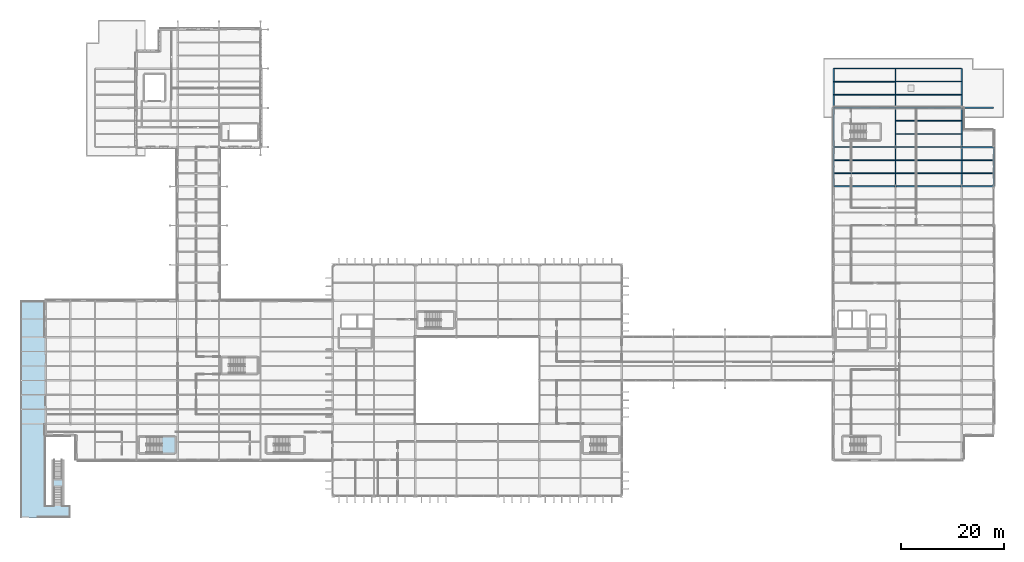
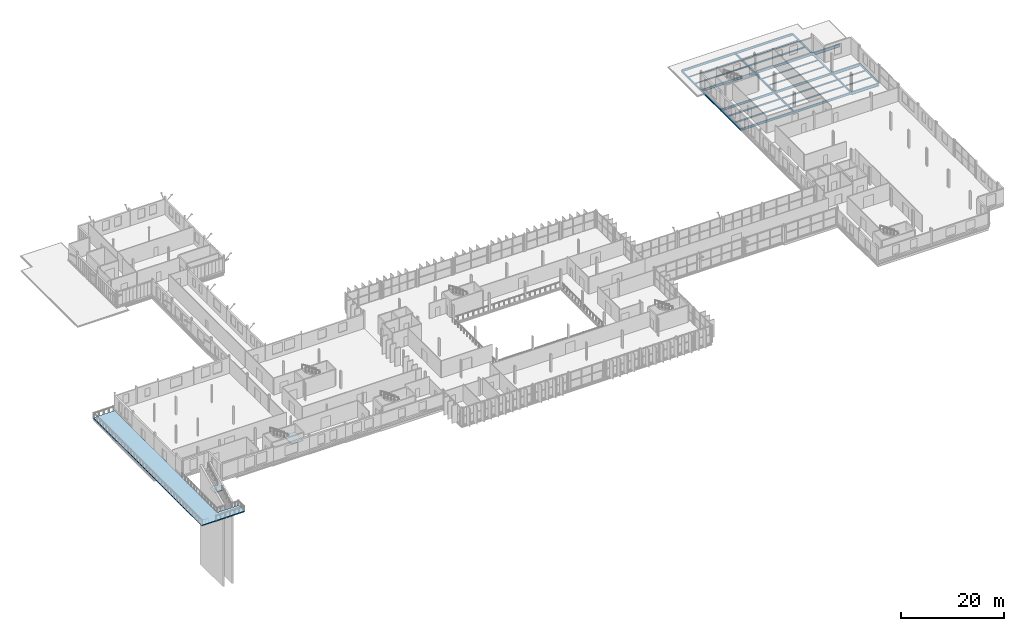
# One storey, part 67 of 101: 33 beams, 3 slabs, 2 elements without a shape of their own.
"""IFC4 building model written with IfcOpenShell, lengths in metres."""

from ifc_helpers import new_model, si_unit, direction, frame, origin, origin_2d, place, context, subcontext, project, spatial, polyline, i_section, outline, extrude, material, layer, layer_set, material_profile, profile_set, type_object, element, aggregate, save


model = new_model("IFC4")

# Units and contexts
model_context = context("Model", 3, precision=1e-05, world=origin(), true_north=direction((0.0, 1.0)))
body_context = subcontext(model_context, "Body", "Model", "MODEL_VIEW")
ifc_project = project(units=[si_unit("LENGTHUNIT", "METRE"), si_unit("AREAUNIT", "SQUARE_METRE"), si_unit("VOLUMEUNIT", "CUBIC_METRE"), si_unit("PLANEANGLEUNIT", "RADIAN"), si_unit("MASSUNIT", "GRAM", prefix="KILO")], contexts=[model_context])

# Site, building, storey
site_placement = place(None, origin())
site = spatial("IfcSite", under=ifc_project, at=site_placement, CompositionType="ELEMENT")
building_placement = place(site_placement, origin())
building = spatial("IfcBuilding", under=site, at=building_placement, Name="Vekula Escarpment Museum", CompositionType="ELEMENT")
storey_placement = place(building_placement, frame((0.0, 0.0, 18.0)))
storey = spatial("IfcBuildingStorey", under=building, at=storey_placement, Name="L04", CompositionType="ELEMENT", Elevation=18.0)

# Beams
ifc_material_1 = material(Name="Steel S355", Category="steel")
ifc_material_profile_1 = material_profile(ifc_material_1, i_section(OverallWidth=0.300048828125, OverallDepth=0.699951171875, WebThickness=0.01708984375, FlangeThickness=0.031982421875, FilletRadius=0.027099609375, at=origin_2d()), Name="HEB 700")
ifc_profile_set_1 = profile_set([ifc_material_profile_1], Name="Steel S355")
beam_type_1 = type_object("IfcBeamType", Name="BM-GIRD-HEB700", PredefinedType="BEAM", material=ifc_profile_set_1)
for number, where, z_axis, x_axis, name in (
    (1, (191.800048828125, 105.60009765625, -0.6298828125), (1.0, 0.0, 0.0), (0.0, 1.0, 0.0), "Beam X L04 1799"),
    (2, (191.800048828125, 113.199951171875, -0.6298828125), (1.0, 0.0, 0.0), (0.0, 1.0, 0.0), "Beam X L04 1806"),
    (3, (191.800048828125, 120.800048828125, -0.6298828125), (1.0, 0.0, 0.0), (0.0, 1.0, 0.0), "Beam X L04 1813"),
):
    element("IfcBeam", number, at=place(storey_placement, frame(where, z_axis=z_axis, x_axis=x_axis)), inside=storey, type_object=beam_type_1, Name=name, PredefinedType="BEAM", context=body_context, shape_type="SweptSolid", body=[
        extrude(i_section(OverallWidth=0.300048828125, OverallDepth=0.699951171875, WebThickness=0.01708984375, FlangeThickness=0.031982421875, FilletRadius=0.027099609375, at=origin_2d()), origin(), (0.0, 0.0, 1.0), 6.199951171875),
    ])
ifc_material_2 = material(Name="Steel S355", Category="steel")
ifc_material_profile_2 = material_profile(ifc_material_2, i_section(OverallWidth=0.199951171875, OverallDepth=0.5, WebThickness=0.01025390625, FlangeThickness=0.01611328125, FilletRadius=0.02099609375, at=origin_2d()), Name="IPE 500")
ifc_profile_set_2 = profile_set([ifc_material_profile_2], Name="Steel S355")
beam_type_2 = type_object("IfcBeamType", Name="BM-GIRD-IPE500", PredefinedType="BEAM", material=ifc_profile_set_2)
beam_1_placement = place(storey_placement, frame((179.0, 105.60009765625, -0.530029296875), z_axis=(0.0, 1.0, 0.0), x_axis=(-1.0, 0.0, 0.0)))
element("IfcBeam", 4, at=beam_1_placement, inside=storey, type_object=beam_type_2, Name="Beam Y L04 1937", PredefinedType="BEAM", context=body_context, shape_type="SweptSolid", body=[
    extrude(i_section(OverallWidth=0.199951171875, OverallDepth=0.5, WebThickness=0.01025390625, FlangeThickness=0.01611328125, FilletRadius=0.02099609375, at=origin_2d()), origin(), (0.0, 0.0, 1.0), 7.599853515625),
])
beam_2_placement = place(storey_placement, frame((179.0, 113.199951171875, -0.530029296875), z_axis=(0.0, 1.0, 0.0), x_axis=(-1.0, 0.0, 0.0)))
element("IfcBeam", 5, at=beam_2_placement, inside=storey, type_object=beam_type_2, Name="Beam Y L04 1938", PredefinedType="BEAM", context=body_context, shape_type="SweptSolid", body=[
    extrude(i_section(OverallWidth=0.199951171875, OverallDepth=0.5, WebThickness=0.01025390625, FlangeThickness=0.01611328125, FilletRadius=0.02099609375, at=origin_2d()), origin(), (0.0, 0.0, 1.0), 7.60009765625),
])
beam_3_placement = place(storey_placement, frame((179.0, 120.800048828125, -0.530029296875), z_axis=(0.0, 1.0, 0.0), x_axis=(-1.0, 0.0, 0.0)))
element("IfcBeam", 6, at=beam_3_placement, inside=storey, type_object=beam_type_2, Name="Beam Y L04 1939", PredefinedType="BEAM", context=body_context, shape_type="SweptSolid", body=[
    extrude(i_section(OverallWidth=0.199951171875, OverallDepth=0.5, WebThickness=0.01025390625, FlangeThickness=0.01611328125, FilletRadius=0.02099609375, at=origin_2d()), origin(), (0.0, 0.0, 1.0), 7.599853515625),
])
ifc_material_3 = material(Name="Steel S355", Category="steel")
ifc_material_profile_3 = material_profile(ifc_material_3, i_section(OverallWidth=0.2099609375, OverallDepth=0.550048828125, WebThickness=0.010986328125, FlangeThickness=0.01708984375, FilletRadius=0.02392578125, at=origin_2d()), Name="IPE 550")
ifc_profile_set_3 = profile_set([ifc_material_profile_3], Name="Steel S355")
beam_type_3 = type_object("IfcBeamType", Name="BM-GIRD-IPE550", PredefinedType="BEAM", material=ifc_profile_set_3)
beam_4_placement = place(storey_placement, frame((167.0, 105.60009765625, -0.554931640625), z_axis=(1.0, 0.0, 0.0), x_axis=(0.0, 1.0, 0.0)))
element("IfcBeam", 7, at=beam_4_placement, inside=storey, type_object=beam_type_3, Name="Beam X L04 1797", PredefinedType="BEAM", context=body_context, shape_type="SweptSolid", body=[
    extrude(i_section(OverallWidth=0.2099609375, OverallDepth=0.550048828125, WebThickness=0.010986328125, FlangeThickness=0.01708984375, FilletRadius=0.02392578125, at=origin_2d()), origin(), (0.0, 0.0, 1.0), 12.0),
])
beam_5_placement = place(storey_placement, frame((179.0, 105.60009765625, -0.554931640625), z_axis=(1.0, 0.0, 0.0), x_axis=(0.0, 1.0, 0.0)))
element("IfcBeam", 8, at=beam_5_placement, inside=storey, type_object=beam_type_3, Name="Beam X L04 1798", PredefinedType="BEAM", context=body_context, shape_type="SweptSolid", body=[
    extrude(i_section(OverallWidth=0.2099609375, OverallDepth=0.550048828125, WebThickness=0.010986328125, FlangeThickness=0.01708984375, FilletRadius=0.02392578125, at=origin_2d()), origin(), (0.0, 0.0, 1.0), 12.800048828125),
])
beam_6_placement = place(storey_placement, frame((167.0, 113.199951171875, -0.554931640625), z_axis=(1.0, 0.0, 0.0), x_axis=(0.0, 1.0, 0.0)))
element("IfcBeam", 9, at=beam_6_placement, inside=storey, type_object=beam_type_3, Name="Beam X L04 1804", PredefinedType="BEAM", context=body_context, shape_type="SweptSolid", body=[
    extrude(i_section(OverallWidth=0.2099609375, OverallDepth=0.550048828125, WebThickness=0.010986328125, FlangeThickness=0.01708984375, FilletRadius=0.02392578125, at=origin_2d()), origin(), (0.0, 0.0, 1.0), 12.0),
])
beam_7_placement = place(storey_placement, frame((179.0, 113.199951171875, -0.554931640625), z_axis=(1.0, 0.0, 0.0), x_axis=(0.0, 1.0, 0.0)))
element("IfcBeam", 10, at=beam_7_placement, inside=storey, type_object=beam_type_3, Name="Beam X L04 1805", PredefinedType="BEAM", context=body_context, shape_type="SweptSolid", body=[
    extrude(i_section(OverallWidth=0.2099609375, OverallDepth=0.550048828125, WebThickness=0.010986328125, FlangeThickness=0.01708984375, FilletRadius=0.02392578125, at=origin_2d()), origin(), (0.0, 0.0, 1.0), 12.800048828125),
])
beam_8_placement = place(storey_placement, frame((167.0, 120.800048828125, -0.554931640625), z_axis=(1.0, 0.0, 0.0), x_axis=(0.0, 1.0, 0.0)))
element("IfcBeam", 11, at=beam_8_placement, inside=storey, type_object=beam_type_3, Name="Beam X L04 1811", PredefinedType="BEAM", context=body_context, shape_type="SweptSolid", body=[
    extrude(i_section(OverallWidth=0.2099609375, OverallDepth=0.550048828125, WebThickness=0.010986328125, FlangeThickness=0.01708984375, FilletRadius=0.02392578125, at=origin_2d()), origin(), (0.0, 0.0, 1.0), 12.0),
])
beam_9_placement = place(storey_placement, frame((179.0, 120.800048828125, -0.554931640625), z_axis=(1.0, 0.0, 0.0), x_axis=(0.0, 1.0, 0.0)))
element("IfcBeam", 12, at=beam_9_placement, inside=storey, type_object=beam_type_3, Name="Beam X L04 1812", PredefinedType="BEAM", context=body_context, shape_type="SweptSolid", body=[
    extrude(i_section(OverallWidth=0.2099609375, OverallDepth=0.550048828125, WebThickness=0.010986328125, FlangeThickness=0.01708984375, FilletRadius=0.02392578125, at=origin_2d()), origin(), (0.0, 0.0, 1.0), 12.800048828125),
])
beam_10_placement = place(storey_placement, frame((167.0, 128.39990234375, -0.47509765625), z_axis=(1.0, 0.0, 0.0), x_axis=(0.0, 1.0, 0.0)))
element("IfcBeam", 13, at=beam_10_placement, inside=storey, type_object=beam_type_3, Name="Beam X L04 1818", PredefinedType="BEAM", context=body_context, shape_type="SweptSolid", body=[
    extrude(i_section(OverallWidth=0.2099609375, OverallDepth=0.550048828125, WebThickness=0.010986328125, FlangeThickness=0.01708984375, FilletRadius=0.02392578125, at=origin_2d()), origin(), (0.0, 0.0, 1.0), 12.0),
])
beam_11_placement = place(storey_placement, frame((179.0, 128.39990234375, -0.47509765625), z_axis=(1.0, 0.0, 0.0), x_axis=(0.0, 1.0, 0.0)))
element("IfcBeam", 14, at=beam_11_placement, inside=storey, type_object=beam_type_3, Name="Beam X L04 1819", PredefinedType="BEAM", context=body_context, shape_type="SweptSolid", body=[
    extrude(i_section(OverallWidth=0.2099609375, OverallDepth=0.550048828125, WebThickness=0.010986328125, FlangeThickness=0.01708984375, FilletRadius=0.02392578125, at=origin_2d()), origin(), (0.0, 0.0, 1.0), 12.800048828125),
])
ifc_material_4 = material(Name="Steel S355", Category="steel")
ifc_material_profile_4 = material_profile(ifc_material_4, i_section(OverallWidth=0.135009765625, OverallDepth=0.27001953125, WebThickness=0.006591796875, FlangeThickness=0.01025390625, FilletRadius=0.014892578125, at=origin_2d()), Name="IPE 270")
ifc_profile_set_4 = profile_set([ifc_material_profile_4], Name="Steel S355")
beam_type_4 = type_object("IfcBeamType", Name="BM-JST-IPE270", PredefinedType="JOIST", material=ifc_profile_set_4)
for number, where, z_axis, x_axis, name in (
    (15, (179.090087890625, 123.333251953125, -0.4150390625), (1.0, 0.0, 0.0), (0.0, 1.0, 0.0), "Secondary Joist L04 1274"),
    (16, (179.090087890625, 125.86669921875, -0.4150390625), (1.0, 0.0, 0.0), (0.0, 1.0, 0.0), "Secondary Joist L04 1275"),
):
    element("IfcBeam", number, at=place(storey_placement, frame(where, z_axis=z_axis, x_axis=x_axis)), inside=storey, type_object=beam_type_4, Name=name, PredefinedType="JOIST", context=body_context, shape_type="SweptSolid", body=[
        extrude(i_section(OverallWidth=0.135009765625, OverallDepth=0.27001953125, WebThickness=0.006591796875, FlangeThickness=0.01025390625, FilletRadius=0.014892578125, at=origin_2d()), origin(), (0.0, 0.0, 1.0), 12.619873046875),
    ])
ifc_material_5 = material(Name="Steel S355", Category="steel")
ifc_material_profile_5 = material_profile(ifc_material_5, i_section(OverallWidth=0.14990234375, OverallDepth=0.300048828125, WebThickness=0.007080078125, FlangeThickness=0.0107421875, FilletRadius=0.014892578125, at=origin_2d()), Name="IPE 300")
ifc_profile_set_5 = profile_set([ifc_material_profile_5], Name="Steel S355")
beam_type_5 = type_object("IfcBeamType", Name="BM-JST-IPE300", PredefinedType="JOIST", material=ifc_profile_set_5)
for number, where, z_axis, x_axis, name in (
    (17, (167.090087890625, 123.333251953125, -0.429931640625), (1.0, 0.0, 0.0), (0.0, 1.0, 0.0), "Secondary Joist L04 1257"),
    (18, (167.090087890625, 125.86669921875, -0.429931640625), (1.0, 0.0, 0.0), (0.0, 1.0, 0.0), "Secondary Joist L04 1258"),
):
    element("IfcBeam", number, at=place(storey_placement, frame(where, z_axis=z_axis, x_axis=x_axis)), inside=storey, type_object=beam_type_5, Name=name, PredefinedType="JOIST", context=body_context, shape_type="SweptSolid", body=[
        extrude(i_section(OverallWidth=0.14990234375, OverallDepth=0.300048828125, WebThickness=0.007080078125, FlangeThickness=0.0107421875, FilletRadius=0.014892578125, at=origin_2d()), origin(), (0.0, 0.0, 1.0), 11.81982421875),
    ])
for number, where, z_axis, x_axis, name in (
    (19, (179.090087890625, 115.7333984375, -0.429931640625), (1.0, 0.0, 0.0), (0.0, 1.0, 0.0), "Secondary Joist L04 1272"),
    (20, (179.090087890625, 118.2666015625, -0.429931640625), (1.0, 0.0, 0.0), (0.0, 1.0, 0.0), "Secondary Joist L04 1273"),
):
    element("IfcBeam", number, at=place(storey_placement, frame(where, z_axis=z_axis, x_axis=x_axis)), inside=storey, type_object=beam_type_5, Name=name, PredefinedType="JOIST", context=body_context, shape_type="SweptSolid", body=[
        extrude(i_section(OverallWidth=0.14990234375, OverallDepth=0.300048828125, WebThickness=0.007080078125, FlangeThickness=0.0107421875, FilletRadius=0.014892578125, at=origin_2d()), origin(), (0.0, 0.0, 1.0), 12.619873046875),
    ])
for number, where, z_axis, x_axis, name in (
    (21, (191.889892578125, 108.13330078125, -0.429931640625), (1.0, 0.0, 0.0), (0.0, 1.0, 0.0), "Secondary Joist L04 1286"),
    (22, (191.889892578125, 110.666748046875, -0.429931640625), (1.0, 0.0, 0.0), (0.0, 1.0, 0.0), "Secondary Joist L04 1287"),
):
    element("IfcBeam", number, at=place(storey_placement, frame(where, z_axis=z_axis, x_axis=x_axis)), inside=storey, type_object=beam_type_5, Name=name, PredefinedType="JOIST", context=body_context, shape_type="SweptSolid", body=[
        extrude(i_section(OverallWidth=0.14990234375, OverallDepth=0.300048828125, WebThickness=0.007080078125, FlangeThickness=0.0107421875, FilletRadius=0.014892578125, at=origin_2d()), origin(), (0.0, 0.0, 1.0), 6.02001953125),
    ])
ifc_material_6 = material(Name="Steel S355", Category="steel")
ifc_material_profile_6 = material_profile(ifc_material_6, i_section(OverallWidth=0.159912109375, OverallDepth=0.330078125, WebThickness=0.007568359375, FlangeThickness=0.011474609375, FilletRadius=0.01806640625, at=origin_2d()), Name="IPE 330")
ifc_profile_set_6 = profile_set([ifc_material_profile_6], Name="Steel S355")
beam_type_6 = type_object("IfcBeamType", Name="BM-JST-IPE330", PredefinedType="JOIST", material=ifc_profile_set_6)
for number, where, z_axis, x_axis, name in (
    (23, (179.090087890625, 108.13330078125, -0.445068359375), (1.0, 0.0, 0.0), (0.0, 1.0, 0.0), "Secondary Joist L04 1270"),
    (24, (179.090087890625, 110.666748046875, -0.445068359375), (1.0, 0.0, 0.0), (0.0, 1.0, 0.0), "Secondary Joist L04 1271"),
):
    element("IfcBeam", number, at=place(storey_placement, frame(where, z_axis=z_axis, x_axis=x_axis)), inside=storey, type_object=beam_type_6, Name=name, PredefinedType="JOIST", context=body_context, shape_type="SweptSolid", body=[
        extrude(i_section(OverallWidth=0.159912109375, OverallDepth=0.330078125, WebThickness=0.007568359375, FlangeThickness=0.011474609375, FilletRadius=0.01806640625, at=origin_2d()), origin(), (0.0, 0.0, 1.0), 12.619873046875),
    ])
ifc_material_7 = material(Name="Steel S355", Category="steel")
ifc_material_profile_7 = material_profile(ifc_material_7, i_section(OverallWidth=0.169921875, OverallDepth=0.360107421875, WebThickness=0.008056640625, FlangeThickness=0.0126953125, FilletRadius=0.01806640625, at=origin_2d()), Name="IPE 360")
ifc_profile_set_7 = profile_set([ifc_material_profile_7], Name="Steel S355")
beam_type_7 = type_object("IfcBeamType", Name="BM-JST-IPE360", PredefinedType="JOIST", material=ifc_profile_set_7)
for number, where, z_axis, x_axis, name in (
    (25, (167.090087890625, 108.13330078125, -0.4599609375), (1.0, 0.0, 0.0), (0.0, 1.0, 0.0), "Secondary Joist L04 1255"),
    (26, (167.090087890625, 110.666748046875, -0.4599609375), (1.0, 0.0, 0.0), (0.0, 1.0, 0.0), "Secondary Joist L04 1256"),
):
    element("IfcBeam", number, at=place(storey_placement, frame(where, z_axis=z_axis, x_axis=x_axis)), inside=storey, type_object=beam_type_7, Name=name, PredefinedType="JOIST", context=body_context, shape_type="SweptSolid", body=[
        extrude(i_section(OverallWidth=0.169921875, OverallDepth=0.360107421875, WebThickness=0.008056640625, FlangeThickness=0.0126953125, FilletRadius=0.01806640625, at=origin_2d()), origin(), (0.0, 0.0, 1.0), 11.81982421875),
    ])
ifc_material_8 = material(Name="Steel S355", Category="steel")
ifc_material_profile_8 = material_profile(ifc_material_8, i_section(OverallWidth=0.300048828125, OverallDepth=0.2900390625, WebThickness=0.008544921875, FlangeThickness=0.013916015625, FilletRadius=0.027099609375, at=origin_2d()), Name="HEA 300")
ifc_profile_set_8 = profile_set([ifc_material_profile_8], Name="Steel S355")
beam_type_8 = type_object("IfcBeamType", Name="BM-SPAN-HEA300", PredefinedType="SPANDREL", material=ifc_profile_set_8)
beam_12_placement = place(storey_placement, frame((167.0, 105.60009765625, -0.425048828125), z_axis=(0.0, 1.0, 0.0), x_axis=(-1.0, 0.0, 0.0)))
element("IfcBeam", 27, at=beam_12_placement, inside=storey, type_object=beam_type_8, Name="Beam Y L04 1927", PredefinedType="SPANDREL", context=body_context, shape_type="SweptSolid", body=[
    extrude(i_section(OverallWidth=0.300048828125, OverallDepth=0.2900390625, WebThickness=0.008544921875, FlangeThickness=0.013916015625, FilletRadius=0.027099609375, at=origin_2d()), origin(), (0.0, 0.0, 1.0), 7.599853515625),
])
beam_13_placement = place(storey_placement, frame((167.0, 113.199951171875, -0.425048828125), z_axis=(0.0, 1.0, 0.0), x_axis=(-1.0, 0.0, 0.0)))
element("IfcBeam", 28, at=beam_13_placement, inside=storey, type_object=beam_type_8, Name="Beam Y L04 1928", PredefinedType="SPANDREL", context=body_context, shape_type="SweptSolid", body=[
    extrude(i_section(OverallWidth=0.300048828125, OverallDepth=0.2900390625, WebThickness=0.008544921875, FlangeThickness=0.013916015625, FilletRadius=0.027099609375, at=origin_2d()), origin(), (0.0, 0.0, 1.0), 7.60009765625),
])
for number, where, z_axis, x_axis, name in (
    (29, (167.0, 120.800048828125, -0.425048828125), (0.0, 1.0, 0.0), (-1.0, 0.0, 0.0), "Beam Y L04 1929"),
    (30, (191.800048828125, 105.60009765625, -0.425048828125), (0.0, 1.0, 0.0), (-1.0, 0.0, 0.0), "Beam Y L04 1947"),
):
    element("IfcBeam", number, at=place(storey_placement, frame(where, z_axis=z_axis, x_axis=x_axis)), inside=storey, type_object=beam_type_8, Name=name, PredefinedType="SPANDREL", context=body_context, shape_type="SweptSolid", body=[
        extrude(i_section(OverallWidth=0.300048828125, OverallDepth=0.2900390625, WebThickness=0.008544921875, FlangeThickness=0.013916015625, FilletRadius=0.027099609375, at=origin_2d()), origin(), (0.0, 0.0, 1.0), 7.599853515625),
    ])
beam_14_placement = place(storey_placement, frame((191.800048828125, 113.199951171875, -0.425048828125), z_axis=(0.0, 1.0, 0.0), x_axis=(-1.0, 0.0, 0.0)))
element("IfcBeam", 31, at=beam_14_placement, inside=storey, type_object=beam_type_8, Name="Beam Y L04 1948", PredefinedType="SPANDREL", context=body_context, shape_type="SweptSolid", body=[
    extrude(i_section(OverallWidth=0.300048828125, OverallDepth=0.2900390625, WebThickness=0.008544921875, FlangeThickness=0.013916015625, FilletRadius=0.027099609375, at=origin_2d()), origin(), (0.0, 0.0, 1.0), 7.60009765625),
])
for number, where, z_axis, x_axis, name in (
    (32, (191.800048828125, 120.800048828125, -0.425048828125), (0.0, 1.0, 0.0), (-1.0, 0.0, 0.0), "Beam Y L04 1949"),
    (33, (198.0, 105.60009765625, -0.425048828125), (0.0, 1.0, 0.0), (-1.0, 0.0, 0.0), "Beam Y L04 1956"),
):
    element("IfcBeam", number, at=place(storey_placement, frame(where, z_axis=z_axis, x_axis=x_axis)), inside=storey, type_object=beam_type_8, Name=name, PredefinedType="SPANDREL", context=body_context, shape_type="SweptSolid", body=[
        extrude(i_section(OverallWidth=0.300048828125, OverallDepth=0.2900390625, WebThickness=0.008544921875, FlangeThickness=0.013916015625, FilletRadius=0.027099609375, at=origin_2d()), origin(), (0.0, 0.0, 1.0), 7.599853515625),
    ])

# Stair, slab
ifc_material_9 = material(Name="Precast concrete C40/50", Category="concrete")
stair_type_1 = type_object("IfcStairType", Name="STR-AMP-165", PredefinedType="STRAIGHT_RUN_STAIR", material=ifc_material_9)
stair_1_placement = place(storey_placement, origin())
stair_1 = element("IfcStair", 34, at=stair_1_placement, inside=storey, type_object=stair_type_1, Name="South Escarpment Plinth Stair Tier 4 ST-AMP-S4", PredefinedType="STRAIGHT_RUN_STAIR")
ifc_material_10 = material(Name="Concrete C35/45", Category="concrete")
ifc_layer_1 = layer(ifc_material_10, 0.199951171875)
ifc_layer_set_1 = layer_set([ifc_layer_1], Name="Concrete C35/45")
slab_type_1 = type_object("IfcSlabType", Name="SL-LAND-200", PredefinedType="LANDING", material=ifc_layer_set_1)
slab_1_placement = place(storey_placement, frame((0.0, 0.0, 1.89990234375)))
slab_1 = element("IfcSlab", 35, at=slab_1_placement, type_object=slab_type_1, Name="ST-AMP-S4 landing 1", PredefinedType="LANDING", context=body_context, shape_type="SweptSolid", body=[
    extrude(outline(polyline([(15.75, 47.18994140625), (17.85009765625, 47.18994140625), (17.85009765625, 49.1201171875), (15.75, 49.1201171875), (15.75, 47.18994140625)])), origin(), (0.0, 0.0, 1.0), 0.2001953125),
])
aggregate(stair_1, [slab_1])

ifc_material_11 = material(Name="Concrete C35/45", Category="concrete")
stair_type_2 = type_object("IfcStairType", Name="STR-TYPE-142", PredefinedType="HALF_TURN_STAIR", material=ifc_material_11)
stair_2_placement = place(storey_placement, origin())
stair_2 = element("IfcStair", 36, at=stair_2_placement, inside=storey, type_object=stair_type_2, Name="L04 Plinth West Exit Stair ST-04", PredefinedType="HALF_TURN_STAIR")
slab_2_placement = place(storey_placement, frame((0.0, 0.0, 1.89990234375)))
slab_2 = element("IfcSlab", 37, at=slab_2_placement, type_object=slab_type_1, Name="ST-04 landing 1", PredefinedType="LANDING", context=body_context, shape_type="SweptSolid", body=[
    extrude(outline(polyline([(36.909912109375, 53.909912109375), (39.489990234375, 53.909912109375), (39.489990234375, 57.1298828125), (36.909912109375, 57.1298828125), (36.909912109375, 53.909912109375)])), origin(), (0.0, 0.0, 1.0), 0.2001953125),
])
aggregate(stair_2, [slab_2])

# Slab
ifc_material_12 = material(Name="Precast concrete C40/50", Category="concrete")
ifc_layer_2 = layer(ifc_material_12, 0.219970703125)
ifc_layer_set_2 = layer_set([ifc_layer_2], Name="Precast concrete C40/50")
slab_type_2 = type_object("IfcSlabType", Name="SL-TER-220", PredefinedType="FLOOR", material=ifc_layer_set_2)
slab_3_placement = place(storey_placement, frame((0.0, 0.0, -0.219970703125)))
element("IfcSlab", 38, at=slab_3_placement, inside=storey, type_object=slab_type_2, Name="Walkable Terrace Slab T-L04-STEP3", PredefinedType="FLOOR", context=body_context, shape_type="SweptSolid", body=[
    extrude(outline(polyline([(9.60009765625, 41.4599609375), (19.179931640625, 41.4599609375), (19.179931640625, 43.75), (14.3798828125, 43.75), (14.3798828125, 83.39990234375), (9.60009765625, 83.39990234375), (9.60009765625, 41.4599609375)])), origin(), (0.0, 0.0, 1.0), 0.219970703125),
])

save(model, "model.ifc")
